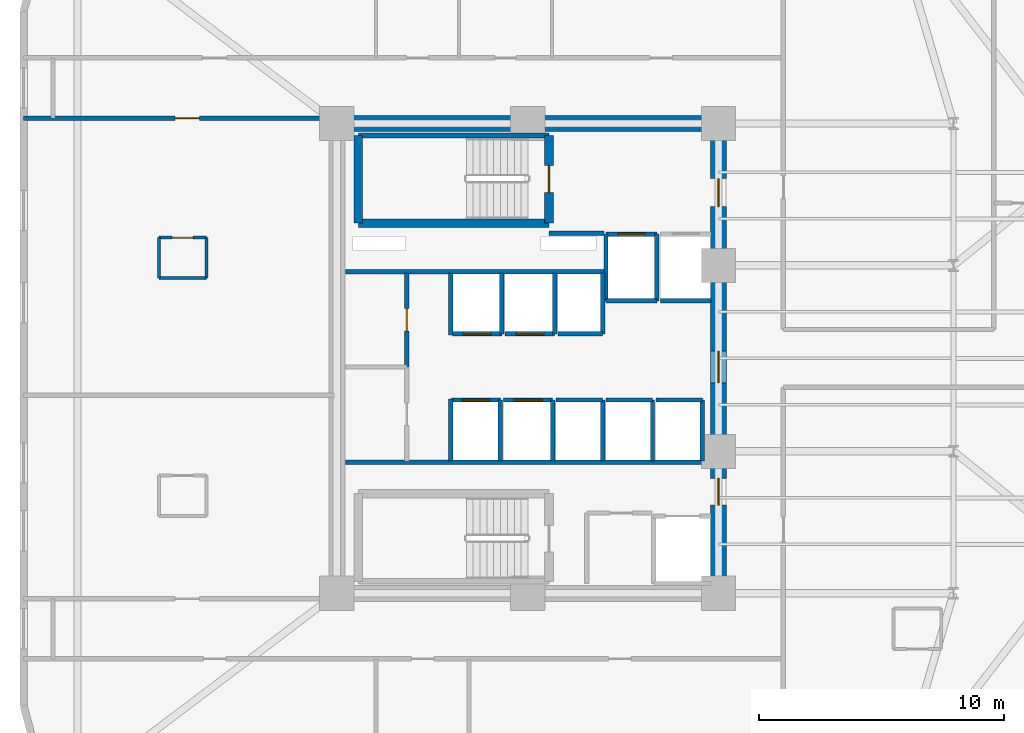
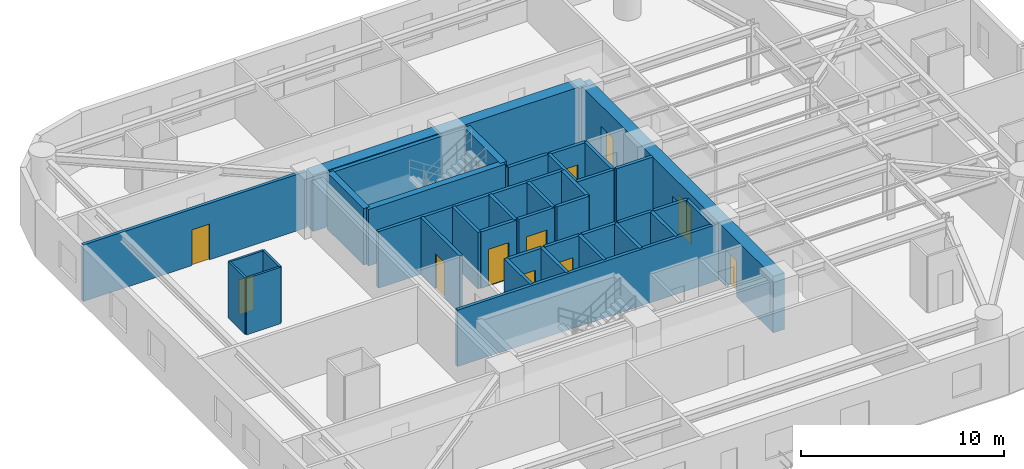
# One storey, part 9 of 14: 38 walls, 12 doors, 12 openings.
"""IFC4 building model written with IfcOpenShell, lengths in metres."""

import ifcopenshell
import ifcopenshell.guid

model = None  # the IFC model being written
_history = None  # IfcOwnerHistory: only IFC2X3 demands one
_inside = {}  # id of a spatial element -> (the spatial element, [elements in it])
_under = {}  # id of a project, library or spatial element -> (it, [spatial elements below it])
_declared = {}  # id of a project -> (the project, [libraries it declares])
_typed = {}  # id of a type object -> (the type object, [elements of that type])
_made_of = {}  # id of a material, layer set ... -> (it, [elements and type objects made of it])


def new_model(schema):
    """Start an empty IFC model of exactly this schema.

    Asked for "IFC4X3", IfcOpenShell would pick the latest addendum, in which some entities
    have other attributes; the version numbers below select the first issue.
    IFC2X3 requires an IfcOwnerHistory on every rooted entity: one is made here for all.
    """
    global model, _history
    if schema == "IFC4X3":
        model = ifcopenshell.file(schema_version=(4, 3, 0, 0))
    else:
        model = ifcopenshell.file(schema=schema)
    _inside.clear()
    _under.clear()
    _declared.clear()
    _typed.clear()
    _made_of.clear()
    _history = None
    if model.schema == "IFC2X3":
        org = make("IfcOrganization", Name="unknown")
        user = make(
            "IfcPersonAndOrganization",
            ThePerson=make("IfcPerson", FamilyName="unknown"),
            TheOrganization=org,
        )
        app = make(
            "IfcApplication",
            ApplicationDeveloper=org,
            Version="unknown",
            ApplicationFullName="unknown",
            ApplicationIdentifier="unknown",
        )
        _history = make(
            "IfcOwnerHistory",
            OwningUser=user,
            OwningApplication=app,
            ChangeAction="ADDED",
            CreationDate=0,
        )
    return model


def make(cls, **values):
    """One entity of the class cls with the attributes given. An attribute that is None is left unset."""
    return model.create_entity(
        cls, **{name: value for name, value in values.items() if value is not None}
    )


def rooted(cls, **values):
    """An entity with a GlobalId (a new one), such as an element, a storey or a relation."""
    return make(cls, GlobalId=ifcopenshell.guid.new(), OwnerHistory=_history, **values)


def si_unit(unit_type, name, prefix=None):
    """IfcSIUnit, for example si_unit("LENGTHUNIT", "METRE", prefix="MILLI")."""
    return make("IfcSIUnit", UnitType=unit_type, Prefix=prefix, Name=name)


def assignment(units):
    """IfcUnitAssignment: the units of a project."""
    return None if units is None else make("IfcUnitAssignment", Units=units)


def point(xyz):
    """IfcCartesianPoint."""
    return None if xyz is None else make("IfcCartesianPoint", Coordinates=xyz)


def direction(xyz):
    """IfcDirection."""
    return None if xyz is None else make("IfcDirection", DirectionRatios=xyz)


def frame(location, z_axis=None, x_axis=None):
    """IfcAxis2Placement3D, a coordinate frame: its origin and axes. An axis left out is left unset."""
    return make(
        "IfcAxis2Placement3D",
        Location=point(location),
        Axis=direction(z_axis),
        RefDirection=direction(x_axis),
    )


def frame_2d(location, x_axis=None):
    """IfcAxis2Placement2D, a coordinate frame in the plane: its origin and x axis."""
    return make(
        "IfcAxis2Placement2D", Location=point(location), RefDirection=direction(x_axis)
    )


def origin():
    """The frame at (0, 0, 0) with its axes left unset."""
    return frame((0.0, 0.0, 0.0))


def place(relative_to, where):
    """IfcLocalPlacement: puts the frame where relative to a parent placement (None: the world)."""
    return make(
        "IfcLocalPlacement", PlacementRelTo=relative_to, RelativePlacement=where
    )


def context(
    kind, dimensions, precision=None, world=None, true_north=None, identifier=None
):
    """IfcGeometricRepresentationContext, for example the 3D "Model" context."""
    return make(
        "IfcGeometricRepresentationContext",
        ContextIdentifier=identifier,
        ContextType=kind,
        CoordinateSpaceDimension=dimensions,
        Precision=precision,
        WorldCoordinateSystem=world,
        TrueNorth=true_north,
    )


def subcontext(parent, identifier, kind, view, scale=None):
    """IfcGeometricRepresentationSubContext, for example "Body" below "Model"."""
    return make(
        "IfcGeometricRepresentationSubContext",
        ContextIdentifier=identifier,
        ContextType=kind,
        ParentContext=parent,
        TargetScale=scale,
        TargetView=view,
    )


def project(units=None, contexts=None):
    """IfcProject with its units and contexts."""
    return rooted(
        "IfcProject",
        Name="project",
        RepresentationContexts=contexts,
        UnitsInContext=assignment(units),
    )


def spatial(cls, under=None, at=None, **own):
    """A site, building, storey or space (cls), placed at a placement, below another one or the project."""
    s = rooted(cls, ObjectPlacement=at, **own)
    if under is not None:
        _under.setdefault(under.id(), (under, []))[1].append(s)
    return s


def profile(cls, at=None, kind="AREA", **sizes):
    """A parametric profile (cls). Its sizes go by their IFC names, for example OverallWidth=200.0."""
    return make(cls, ProfileType=kind, Position=at, **sizes)


def rectangle(**sizes):
    """IfcRectangleProfileDef."""
    return profile("IfcRectangleProfileDef", **sizes)


def extrude(swept, where, along, depth):
    """IfcExtrudedAreaSolid: the profile swept, set in the frame where, extruded along a direction by depth."""
    return make(
        "IfcExtrudedAreaSolid",
        SweptArea=swept,
        Position=where,
        ExtrudedDirection=direction(along),
        Depth=depth,
    )


def shape(context_of_items, identifier, shape_type, items):
    """IfcShapeRepresentation: the items that make up one representation, for example the "Body"."""
    return make(
        "IfcShapeRepresentation",
        ContextOfItems=context_of_items,
        RepresentationIdentifier=identifier,
        RepresentationType=shape_type,
        Items=items,
    )


def material(Name=None, Category=None):
    """IfcMaterial."""
    return make("IfcMaterial", Name=Name, Category=Category)


def layer(
    of_material, thickness, ventilated=None, Name=None, Category=None, Priority=None
):
    """IfcMaterialLayer: one layer of a wall or slab, of a material (None: an air gap)."""
    return make(
        "IfcMaterialLayer",
        Material=of_material,
        LayerThickness=thickness,
        IsVentilated=ventilated,
        Name=Name,
        Category=Category,
        Priority=Priority,
    )


def layer_set(layers, Name=None):
    """IfcMaterialLayerSet."""
    return make("IfcMaterialLayerSet", MaterialLayers=layers, LayerSetName=Name)


def made_of(thing, what):
    """Note that an element or type object is made of a material, layer set ...; save() writes the relation."""
    if what is not None:
        _made_of.setdefault(what.id(), (what, []))[1].append(thing)
    return thing


def type_object(cls, material=None, **own):
    """A type object (cls), such as IfcWallType, which elements share."""
    return made_of(rooted(cls, **own), material)


def element(
    cls,
    number,
    at=None,
    inside=None,
    cuts=None,
    type_object=None,
    material=None,
    context=None,
    identifier="Body",
    shape_type=None,
    held_by="IfcProductDefinitionShape",
    body=None,
    shapes=None,
    **own,
):
    """One element of the class cls, such as IfcWall. Its Tag is "e" and its number.

    at: its placement. inside: the storey or other place that contains it. cuts: it is an
    opening in that element (IfcRelVoidsElement). A single representation is given by context,
    identifier, shape_type and body (its items); several are given by shapes. held_by: the class
    of the entity that holds the representations. save() writes the other relations.
    """
    e = rooted(cls, Tag="e%d" % number, ObjectPlacement=at, **own)
    if body is not None:
        shapes = [shape(context, identifier, shape_type, body)]
    if shapes is not None:
        e.Representation = make(held_by, Representations=shapes)
    if inside is not None:
        _inside.setdefault(inside.id(), (inside, []))[1].append(e)
    if cuts is not None:
        rooted(
            "IfcRelVoidsElement", RelatingBuildingElement=cuts, RelatedOpeningElement=e
        )
    if type_object is not None:
        _typed.setdefault(type_object.id(), (type_object, []))[1].append(e)
    return made_of(e, material)


def fill(opening, filler):
    """IfcRelFillsElement: the door or window that sits in an opening."""
    return rooted(
        "IfcRelFillsElement",
        RelatingOpeningElement=opening,
        RelatedBuildingElement=filler,
    )


def aggregate(whole, parts):
    """IfcRelAggregates: a whole, such as a stair, and the parts it consists of."""
    return rooted("IfcRelAggregates", RelatingObject=whole, RelatedObjects=parts)


def save(model, path):
    """Write the relations noted so far, then the file.

    IfcRelAggregates (storeys below a building ...), IfcRelContainedInSpatialStructure (elements
    in a storey), IfcRelDefinesByType, IfcRelAssociatesMaterial and IfcRelDeclares: one each for
    every whole, place, type object, material and project.
    """
    for whole, parts in _under.values():
        aggregate(whole, parts)
    for where, things in _inside.values():
        rooted(
            "IfcRelContainedInSpatialStructure",
            RelatedElements=things,
            RelatingStructure=where,
        )
    for kind, things in _typed.values():
        rooted("IfcRelDefinesByType", RelatedObjects=things, RelatingType=kind)
    for what, things in _made_of.values():
        rooted("IfcRelAssociatesMaterial", RelatedObjects=things, RelatingMaterial=what)
    for by, libraries in _declared.values():
        rooted("IfcRelDeclares", RelatingContext=by, RelatedDefinitions=libraries)
    model.write(path)


model = new_model("IFC4")

# Units and contexts
model_context = context("Model", 3, precision=1e-05, world=origin(), true_north=direction((0.0, 1.0)))
body_context = subcontext(model_context, "Body", "Model", "MODEL_VIEW")
ifc_project = project(units=[si_unit("LENGTHUNIT", "METRE"), si_unit("AREAUNIT", "SQUARE_METRE"), si_unit("VOLUMEUNIT", "CUBIC_METRE"), si_unit("PLANEANGLEUNIT", "RADIAN"), si_unit("MASSUNIT", "GRAM", prefix="KILO")], contexts=[model_context])

# Site, building, storey
site_placement = place(None, origin())
site = spatial("IfcSite", under=ifc_project, at=site_placement, CompositionType="ELEMENT")
building_placement = place(site_placement, origin())
building = spatial("IfcBuilding", under=site, at=building_placement, Name="An Khanh Terracotta Commons", CompositionType="ELEMENT")
storey_placement = place(building_placement, frame((0.0, 0.0, 104.300048828125)))
storey = spatial("IfcBuildingStorey", under=building, at=storey_placement, Name="L27", CompositionType="ELEMENT", Elevation=104.300048828125)

# Wall
ifc_material_1 = material(Name="Concrete C60/75", Category="concrete")
ifc_layer_1 = layer(ifc_material_1, 0.64990234375, Name="Concrete C60/75")
ifc_layer_set_1 = layer_set([ifc_layer_1], Name="Concrete C60/75")
wall_type_1 = type_object("IfcWallType", Name="WALL-CORE-650", PredefinedType="SHEAR", material=ifc_layer_set_1)
wall_1_placement = place(storey_placement, frame((21.60009765625, 33.60009765625, 0.0), z_axis=(0.0, 0.0, 1.0), x_axis=(1.0, 0.0, 0.0)))
element("IfcWall", 1, at=wall_1_placement, inside=storey, type_object=wall_type_1, Name="L27 Core Wall CWALL-L27-N", PredefinedType="SHEAR", context=body_context, shape_type="SweptSolid", body=[
    extrude(rectangle(XDim=15.599853515625, YDim=0.64990234375, at=frame_2d((7.7998046875, 0.0))), origin(), (0.0, 0.0, 1.0), 3.39990234375),
])

# Wall, openings, doors
wall_2_placement = place(storey_placement, frame((37.199951171875, 14.39990234375, 0.0), z_axis=(0.0, 0.0, 1.0), x_axis=(0.0, 1.0, 0.0)))
wall_2 = element("IfcWall", 2, at=wall_2_placement, inside=storey, type_object=wall_type_1, Name="L27 Core Wall CWALL-L27-E", PredefinedType="SHEAR", context=body_context, shape_type="SweptSolid", body=[
    extrude(rectangle(XDim=19.2001953125, YDim=0.64990234375, at=frame_2d((9.60009765625, 0.0))), origin(), (0.0, 0.0, 1.0), 3.39990234375),
])
opening_1_placement = place(wall_2_placement, frame((15.800048828125, 0.0, 0.0)))
opening_1 = element("IfcOpeningElement", 3, at=opening_1_placement, cuts=wall_2, Name="Opening D-FFL", PredefinedType="OPENING", context=body_context, shape_type="SweptSolid", body=[
    extrude(rectangle(XDim=1.14990234375, YDim=2.14990234375, at=frame_2d((0.574951171875, 1.074951171875))), frame((0.0, 0.3349609375, 0.0), z_axis=(0.0, -1.0, 0.0), x_axis=(1.0, 0.0, 0.0)), (0.0, 0.0, 1.0), 0.669921875),
])
opening_2_placement = place(wall_2_placement, frame((3.60009765625, 0.0, 0.0)))
opening_2 = element("IfcOpeningElement", 4, at=opening_2_placement, cuts=wall_2, Name="Opening D-ST", PredefinedType="OPENING", context=body_context, shape_type="SweptSolid", body=[
    extrude(rectangle(XDim=1.10009765625, YDim=2.14990234375, at=frame_2d((0.550048828125, 1.074951171875))), frame((0.0, 0.3349609375, 0.0), z_axis=(0.0, -1.0, 0.0), x_axis=(1.0, 0.0, 0.0)), (0.0, 0.0, 1.0), 0.669921875),
])
opening_3_placement = place(wall_2_placement, frame((8.60009765625, 0.0, 0.0)))
opening_3 = element("IfcOpeningElement", 5, at=opening_3_placement, cuts=wall_2, Name="Opening D-COR", PredefinedType="OPENING", context=body_context, shape_type="SweptSolid", body=[
    extrude(rectangle(XDim=1.300048828125, YDim=2.199951171875, at=frame_2d((0.64990234375, 1.10009765625))), frame((0.0, 0.3349609375, 0.0), z_axis=(0.0, -1.0, 0.0), x_axis=(1.0, 0.0, 0.0)), (0.0, 0.0, 1.0), 0.669921875),
])
ifc_material_2 = material(Name="Fire-Rated Glazed Steel Double Door", Category="steel")
door_type_1 = type_object("IfcDoorType", Name="DOOR-CORR-1300", OperationType="NOTDEFINED", PredefinedType="DOOR", material=ifc_material_2)
door_1_placement = place(opening_3_placement, origin())
door_1 = element("IfcDoor", 6, at=door_1_placement, inside=storey, type_object=door_type_1, Name="L27 Passenger Lift Lobby Double Door", OperationType="DOUBLE_DOOR_SINGLE_SWING", OverallHeight=2.199951171875, OverallWidth=1.300048828125, PredefinedType="DOOR", context=body_context, shape_type="SweptSolid", body=[
    extrude(rectangle(XDim=1.300048828125, YDim=2.199951171875, at=frame_2d((0.64990234375, 1.10009765625))), frame((0.0, 0.02490234375, 0.0), z_axis=(0.0, -1.0, 0.0), x_axis=(1.0, 0.0, 0.0)), (0.0, 0.0, 1.0), 0.050048828125),
])
fill(opening_3, door_1)
ifc_material_3 = material(Name="Fire-Rated Steel Leaf and Vision Panel", Category="steel")
door_type_2 = type_object("IfcDoorType", Name="DOOR-FFL-1150", OperationType="NOTDEFINED", PredefinedType="DOOR", material=ifc_material_3)
door_2_placement = place(opening_1_placement, origin())
door_2 = element("IfcDoor", 7, at=door_2_placement, inside=storey, type_object=door_type_2, Name="L27 Firefighting Lift Lobby Fire Door", OperationType="SINGLE_SWING_RIGHT", OverallHeight=2.14990234375, OverallWidth=1.14990234375, PredefinedType="DOOR", context=body_context, shape_type="SweptSolid", body=[
    extrude(rectangle(XDim=1.14990234375, YDim=2.14990234375, at=frame_2d((0.574951171875, 1.074951171875))), frame((0.0, 0.02490234375, 0.0), z_axis=(0.0, -1.0, 0.0), x_axis=(1.0, 0.0, 0.0)), (0.0, 0.0, 1.0), 0.050048828125),
])
fill(opening_1, door_2)
ifc_material_4 = material(Name="Fire-Rated Steel Leaf and Frame", Category="steel")
door_type_3 = type_object("IfcDoorType", Name="DOOR-STAIR-1100", OperationType="NOTDEFINED", PredefinedType="DOOR", material=ifc_material_4)
door_3_placement = place(opening_2_placement, origin())
door_3 = element("IfcDoor", 8, at=door_3_placement, inside=storey, type_object=door_type_3, Name="L27 South Stair Lobby Fire Door", OperationType="SINGLE_SWING_LEFT", OverallHeight=2.14990234375, OverallWidth=1.10009765625, PredefinedType="DOOR", context=body_context, shape_type="SweptSolid", body=[
    extrude(rectangle(XDim=1.10009765625, YDim=2.14990234375, at=frame_2d((0.550048828125, 1.074951171875))), frame((0.0, 0.02490234375, 0.0), z_axis=(0.0, -1.0, 0.0), x_axis=(1.0, 0.0, 0.0)), (0.0, 0.0, 1.0), 0.050048828125),
])
fill(opening_2, door_3)

# Walls
ifc_material_5 = material(Name="Fire-Rated Gypsum Board on Steel Stud", Category="steel")
ifc_layer_2 = layer(ifc_material_5, 0.179931640625, Name="Fire-Rated Gypsum Board on Steel Stud")
ifc_layer_set_2 = layer_set([ifc_layer_2], Name="Fire-Rated Gypsum Board on Steel Stud")
wall_type_2 = type_object("IfcWallType", Name="WALL-CORR-180", PredefinedType="PARTITIONING", material=ifc_layer_set_2)
wall_3_placement = place(storey_placement, frame((30.27001953125, 29.1201171875, 0.0), z_axis=(0.0, 0.0, 1.0), x_axis=(1.0, 0.0, 0.0)))
element("IfcWall", 9, at=wall_3_placement, inside=storey, type_object=wall_type_2, Name="L27 Core Wall FFLW-L27-S", PredefinedType="PARTITIONING", context=body_context, shape_type="SweptSolid", body=[
    extrude(rectangle(XDim=2.239990234375, YDim=0.179931640625, at=frame_2d((1.1201171875, 0.0))), origin(), (0.0, 0.0, 1.0), 3.39990234375),
])
wall_4_placement = place(storey_placement, frame((21.949951171875, 27.5400390625, 0.0), z_axis=(0.0, 0.0, 1.0), x_axis=(1.0, 0.0, 0.0)))
element("IfcWall", 10, at=wall_4_placement, inside=storey, type_object=wall_type_2, Name="L27 Core Wall RSRW-L27-S", PredefinedType="PARTITIONING", context=body_context, shape_type="SweptSolid", body=[
    extrude(rectangle(XDim=10.56005859375, YDim=0.179931640625, at=frame_2d((5.280029296875, 0.0))), origin(), (0.0, 0.0, 1.0), 3.39990234375),
])
wall_5_placement = place(storey_placement, frame((21.949951171875, 19.760009765625, 0.0), z_axis=(0.0, 0.0, 1.0), x_axis=(1.0, 0.0, 0.0)))
element("IfcWall", 11, at=wall_5_placement, inside=storey, type_object=wall_type_2, Name="L27 Core Wall SVW-L27-N", PredefinedType="PARTITIONING", context=body_context, shape_type="SweptSolid", body=[
    extrude(rectangle(XDim=14.8701171875, YDim=0.179931640625, at=frame_2d((7.43505859375, 0.0))), origin(), (0.0, 0.0, 1.0), 3.39990234375),
])

# Wall, opening, door
wall_6_placement = place(storey_placement, frame((32.60009765625, 29.080078125, 0.0), z_axis=(0.0, 0.0, 1.0), x_axis=(1.0, 0.0, 0.0)))
wall_6 = element("IfcWall", 12, at=wall_6_placement, inside=storey, type_object=wall_type_2, Name="L27 Core Wall LSH-L27-FFL-01-N", PredefinedType="PARTITIONING", context=body_context, shape_type="SweptSolid", body=[
    extrude(rectangle(XDim=2.079833984375, YDim=0.179931640625, at=frame_2d((1.0400390625, 0.0))), origin(), (0.0, 0.0, 1.0), 3.39990234375),
])
opening_4_placement = place(wall_6_placement, frame((0.489990234375, 0.0, 0.0)))
opening_4 = element("IfcOpeningElement", 13, at=opening_4_placement, cuts=wall_6, Name="Opening LD-FFL-01-L27", PredefinedType="OPENING", context=body_context, shape_type="SweptSolid", body=[
    extrude(rectangle(XDim=1.10009765625, YDim=2.199951171875, at=frame_2d((0.550048828125, 1.10009765625))), frame((0.0, 0.099853515625, 0.0), z_axis=(0.0, -1.0, 0.0), x_axis=(1.0, 0.0, 0.0)), (0.0, 0.0, 1.0), 0.199951171875),
])
ifc_material_6 = material(Name="Brushed Stainless Steel Fire Landing Door", Category="steel")
door_type_4 = type_object("IfcDoorType", Name="DOOR-LD-FFL-1100", OperationType="NOTDEFINED", PredefinedType="DOOR", material=ifc_material_6)
door_4_placement = place(opening_4_placement, origin())
door_4 = element("IfcDoor", 14, at=door_4_placement, inside=storey, type_object=door_type_4, Name="L27 Lift FFL-01 Sliding Landing Door", OperationType="DOUBLE_DOOR_SLIDING", OverallHeight=2.199951171875, OverallWidth=1.10009765625, PredefinedType="DOOR", context=body_context, shape_type="SweptSolid", body=[
    extrude(rectangle(XDim=1.10009765625, YDim=2.199951171875, at=frame_2d((0.550048828125, 1.10009765625))), frame((0.0, 0.02490234375, 0.0), z_axis=(0.0, -1.0, 0.0), x_axis=(1.0, 0.0, 0.0)), (0.0, 0.0, 1.0), 0.050048828125),
])
fill(opening_4, door_4)

# Walls
wall_7_placement = place(storey_placement, frame((34.679931640625, 26.35009765625, 0.0), z_axis=(0.0, 0.0, 1.0), x_axis=(-1.0, 0.0, 0.0)))
element("IfcWall", 15, at=wall_7_placement, inside=storey, type_object=wall_type_2, Name="L27 Core Wall LSH-L27-FFL-01-S", PredefinedType="PARTITIONING", context=body_context, shape_type="SweptSolid", body=[
    extrude(rectangle(XDim=2.079833984375, YDim=0.179931640625, at=frame_2d((1.0400390625, 0.0))), origin(), (0.0, 0.0, 1.0), 3.39990234375),
])
for number, where, z_axis, x_axis, name in (
    (16, (34.679931640625, 26.35009765625, 0.0), (0.0, 0.0, 1.0), (0.0, 1.0, 0.0), "L27 Core Wall LSH-L27-FFL-01-E"),
    (17, (32.60009765625, 29.080078125, 0.0), (0.0, 0.0, 1.0), (0.0, -1.0, 0.0), "L27 Core Wall LSH-L27-FFL-01-W"),
):
    element("IfcWall", number, at=place(storey_placement, frame(where, z_axis=z_axis, x_axis=x_axis)), inside=storey, type_object=wall_type_2, Name=name, PredefinedType="PARTITIONING", context=body_context, shape_type="SweptSolid", body=[
        extrude(rectangle(XDim=2.72998046875, YDim=0.179931640625, at=frame_2d((1.364990234375, 0.0))), origin(), (0.0, 0.0, 1.0), 3.39990234375),
    ])
wall_8_placement = place(storey_placement, frame((36.89990234375, 26.35009765625, 0.0), z_axis=(0.0, 0.0, 1.0), x_axis=(-1.0, 0.0, 0.0)))
element("IfcWall", 18, at=wall_8_placement, inside=storey, type_object=wall_type_2, Name="L27 Core Wall LSH-L27-FFL-02-S", PredefinedType="PARTITIONING", context=body_context, shape_type="SweptSolid", body=[
    extrude(rectangle(XDim=2.079833984375, YDim=0.179931640625, at=frame_2d((1.0400390625, 0.0))), origin(), (0.0, 0.0, 1.0), 3.39990234375),
])

# Wall, opening, door
wall_9_placement = place(storey_placement, frame((28.340087890625, 25.0, 0.0), z_axis=(0.0, 0.0, 1.0), x_axis=(-1.0, 0.0, 0.0)))
wall_9 = element("IfcWall", 19, at=wall_9_placement, inside=storey, type_object=wall_type_2, Name="L27 Core Wall LSH-L27-PL-M1-S", PredefinedType="PARTITIONING", context=body_context, shape_type="SweptSolid", body=[
    extrude(rectangle(XDim=2.02001953125, YDim=0.179931640625, at=frame_2d((1.010009765625, 0.0))), origin(), (0.0, 0.0, 1.0), 3.39990234375),
])
opening_5_placement = place(wall_9_placement, frame((0.43505859375, 0.0, 0.0)))
opening_5 = element("IfcOpeningElement", 20, at=opening_5_placement, cuts=wall_9, Name="Opening LD-PL-M1-L27", PredefinedType="OPENING", context=body_context, shape_type="SweptSolid", body=[
    extrude(rectangle(XDim=1.14990234375, YDim=2.199951171875, at=frame_2d((0.574951171875, 1.10009765625))), frame((0.0, 0.099853515625, 0.0), z_axis=(0.0, -1.0, 0.0), x_axis=(1.0, 0.0, 0.0)), (0.0, 0.0, 1.0), 0.199951171875),
])
ifc_material_7 = material(Name="Brushed Stainless Steel Passenger Landing Door", Category="steel")
door_type_5 = type_object("IfcDoorType", Name="DOOR-LD-PAX-1150", OperationType="NOTDEFINED", PredefinedType="DOOR", material=ifc_material_7)
door_5_placement = place(opening_5_placement, origin())
door_5 = element("IfcDoor", 21, at=door_5_placement, inside=storey, type_object=door_type_5, Name="L27 Lift PL-M1 Sliding Landing Door", OperationType="DOUBLE_DOOR_SLIDING", OverallHeight=2.199951171875, OverallWidth=1.14990234375, PredefinedType="DOOR", context=body_context, shape_type="SweptSolid", body=[
    extrude(rectangle(XDim=1.14990234375, YDim=2.199951171875, at=frame_2d((0.574951171875, 1.10009765625))), frame((0.0, 0.02490234375, 0.0), z_axis=(0.0, -1.0, 0.0), x_axis=(1.0, 0.0, 0.0)), (0.0, 0.0, 1.0), 0.050048828125),
])
fill(opening_5, door_5)

# Wall
wall_10_placement = place(storey_placement, frame((28.340087890625, 25.0, 0.0), z_axis=(0.0, 0.0, 1.0), x_axis=(0.0, 1.0, 0.0)))
element("IfcWall", 22, at=wall_10_placement, inside=storey, type_object=wall_type_2, Name="L27 Core Wall LSH-L27-PL-M1-E", PredefinedType="PARTITIONING", context=body_context, shape_type="SweptSolid", body=[
    extrude(rectangle(XDim=2.5, YDim=0.179931640625, at=frame_2d((1.25, 0.0))), origin(), (0.0, 0.0, 1.0), 3.39990234375),
])

# Wall, opening, door
wall_11_placement = place(storey_placement, frame((30.5, 25.0, 0.0), z_axis=(0.0, 0.0, 1.0), x_axis=(-1.0, 0.0, 0.0)))
wall_11 = element("IfcWall", 23, at=wall_11_placement, inside=storey, type_object=wall_type_2, Name="L27 Core Wall LSH-L27-PL-M2-S", PredefinedType="PARTITIONING", context=body_context, shape_type="SweptSolid", body=[
    extrude(rectangle(XDim=2.02001953125, YDim=0.179931640625, at=frame_2d((1.010009765625, 0.0))), origin(), (0.0, 0.0, 1.0), 3.39990234375),
])
opening_6_placement = place(wall_11_placement, frame((0.43505859375, 0.0, 0.0)))
opening_6 = element("IfcOpeningElement", 24, at=opening_6_placement, cuts=wall_11, Name="Opening LD-PL-M2-L27", PredefinedType="OPENING", context=body_context, shape_type="SweptSolid", body=[
    extrude(rectangle(XDim=1.14990234375, YDim=2.199951171875, at=frame_2d((0.574951171875, 1.10009765625))), frame((0.0, 0.099853515625, 0.0), z_axis=(0.0, -1.0, 0.0), x_axis=(1.0, 0.0, 0.0)), (0.0, 0.0, 1.0), 0.199951171875),
])
door_6_placement = place(opening_6_placement, origin())
door_6 = element("IfcDoor", 25, at=door_6_placement, inside=storey, type_object=door_type_5, Name="L27 Lift PL-M2 Sliding Landing Door", OperationType="DOUBLE_DOOR_SLIDING", OverallHeight=2.199951171875, OverallWidth=1.14990234375, PredefinedType="DOOR", context=body_context, shape_type="SweptSolid", body=[
    extrude(rectangle(XDim=1.14990234375, YDim=2.199951171875, at=frame_2d((0.574951171875, 1.10009765625))), frame((0.0, 0.02490234375, 0.0), z_axis=(0.0, -1.0, 0.0), x_axis=(1.0, 0.0, 0.0)), (0.0, 0.0, 1.0), 0.050048828125),
])
fill(opening_6, door_6)

# Wall
wall_12_placement = place(storey_placement, frame((30.5, 25.0, 0.0), z_axis=(0.0, 0.0, 1.0), x_axis=(0.0, 1.0, 0.0)))
element("IfcWall", 26, at=wall_12_placement, inside=storey, type_object=wall_type_2, Name="L27 Core Wall LSH-L27-PL-M2-E", PredefinedType="PARTITIONING", context=body_context, shape_type="SweptSolid", body=[
    extrude(rectangle(XDim=2.5, YDim=0.179931640625, at=frame_2d((1.25, 0.0))), origin(), (0.0, 0.0, 1.0), 3.39990234375),
])

# Wall, opening, door
wall_13_placement = place(storey_placement, frame((26.280029296875, 22.300048828125, 0.0), z_axis=(0.0, 0.0, 1.0), x_axis=(1.0, 0.0, 0.0)))
wall_13 = element("IfcWall", 27, at=wall_13_placement, inside=storey, type_object=wall_type_2, Name="L27 Core Wall LSH-L27-PL-M3-N", PredefinedType="PARTITIONING", context=body_context, shape_type="SweptSolid", body=[
    extrude(rectangle(XDim=2.0, YDim=0.179931640625, at=frame_2d((1.0, 0.0))), origin(), (0.0, 0.0, 1.0), 3.39990234375),
])
opening_7_placement = place(wall_13_placement, frame((0.425048828125, 0.0, 0.0)))
opening_7 = element("IfcOpeningElement", 28, at=opening_7_placement, cuts=wall_13, Name="Opening LD-PL-M3-L27", PredefinedType="OPENING", context=body_context, shape_type="SweptSolid", body=[
    extrude(rectangle(XDim=1.14990234375, YDim=2.199951171875, at=frame_2d((0.574951171875, 1.10009765625))), frame((0.0, 0.099853515625, 0.0), z_axis=(0.0, -1.0, 0.0), x_axis=(1.0, 0.0, 0.0)), (0.0, 0.0, 1.0), 0.199951171875),
])
door_7_placement = place(opening_7_placement, origin())
door_7 = element("IfcDoor", 29, at=door_7_placement, inside=storey, type_object=door_type_5, Name="L27 Lift PL-M3 Sliding Landing Door", OperationType="DOUBLE_DOOR_SLIDING", OverallHeight=2.199951171875, OverallWidth=1.14990234375, PredefinedType="DOOR", context=body_context, shape_type="SweptSolid", body=[
    extrude(rectangle(XDim=1.14990234375, YDim=2.199951171875, at=frame_2d((0.574951171875, 1.10009765625))), frame((0.0, 0.02490234375, 0.0), z_axis=(0.0, -1.0, 0.0), x_axis=(1.0, 0.0, 0.0)), (0.0, 0.0, 1.0), 0.050048828125),
])
fill(opening_7, door_7)

# Wall
wall_14_placement = place(storey_placement, frame((28.280029296875, 19.800048828125, 0.0), z_axis=(0.0, 0.0, 1.0), x_axis=(0.0, 1.0, 0.0)))
element("IfcWall", 30, at=wall_14_placement, inside=storey, type_object=wall_type_2, Name="L27 Core Wall LSH-L27-PL-M3-E", PredefinedType="PARTITIONING", context=body_context, shape_type="SweptSolid", body=[
    extrude(rectangle(XDim=2.5, YDim=0.179931640625, at=frame_2d((1.25, 0.0))), origin(), (0.0, 0.0, 1.0), 3.39990234375),
])

# Wall, opening, door
wall_15_placement = place(storey_placement, frame((28.419921875, 22.300048828125, 0.0), z_axis=(0.0, 0.0, 1.0), x_axis=(1.0, 0.0, 0.0)))
wall_15 = element("IfcWall", 31, at=wall_15_placement, inside=storey, type_object=wall_type_2, Name="L27 Core Wall LSH-L27-PL-M4-N", PredefinedType="PARTITIONING", context=body_context, shape_type="SweptSolid", body=[
    extrude(rectangle(XDim=2.0, YDim=0.179931640625, at=frame_2d((1.0, 0.0))), origin(), (0.0, 0.0, 1.0), 3.39990234375),
])
opening_8_placement = place(wall_15_placement, frame((0.425048828125, 0.0, 0.0)))
opening_8 = element("IfcOpeningElement", 32, at=opening_8_placement, cuts=wall_15, Name="Opening LD-PL-M4-L27", PredefinedType="OPENING", context=body_context, shape_type="SweptSolid", body=[
    extrude(rectangle(XDim=1.14990234375, YDim=2.199951171875, at=frame_2d((0.574951171875, 1.10009765625))), frame((0.0, 0.099853515625, 0.0), z_axis=(0.0, -1.0, 0.0), x_axis=(1.0, 0.0, 0.0)), (0.0, 0.0, 1.0), 0.199951171875),
])
door_8_placement = place(opening_8_placement, origin())
door_8 = element("IfcDoor", 33, at=door_8_placement, inside=storey, type_object=door_type_5, Name="L27 Lift PL-M4 Sliding Landing Door", OperationType="DOUBLE_DOOR_SLIDING", OverallHeight=2.199951171875, OverallWidth=1.14990234375, PredefinedType="DOOR", context=body_context, shape_type="SweptSolid", body=[
    extrude(rectangle(XDim=1.14990234375, YDim=2.199951171875, at=frame_2d((0.574951171875, 1.10009765625))), frame((0.0, 0.02490234375, 0.0), z_axis=(0.0, -1.0, 0.0), x_axis=(1.0, 0.0, 0.0)), (0.0, 0.0, 1.0), 0.050048828125),
])
fill(opening_8, door_8)

# Walls
wall_16_placement = place(storey_placement, frame((30.419921875, 19.800048828125, 0.0), z_axis=(0.0, 0.0, 1.0), x_axis=(0.0, 1.0, 0.0)))
element("IfcWall", 34, at=wall_16_placement, inside=storey, type_object=wall_type_2, Name="L27 Core Wall LSH-L27-PL-M4-E", PredefinedType="PARTITIONING", context=body_context, shape_type="SweptSolid", body=[
    extrude(rectangle(XDim=2.5, YDim=0.179931640625, at=frame_2d((1.25, 0.0))), origin(), (0.0, 0.0, 1.0), 3.39990234375),
])
wall_17_placement = place(storey_placement, frame((32.4599609375, 25.0, 0.0), z_axis=(0.0, 0.0, 1.0), x_axis=(-1.0, 0.0, 0.0)))
element("IfcWall", 35, at=wall_17_placement, inside=storey, type_object=wall_type_2, Name="L27 Core Wall LSH-L27-PL-H1-S", PredefinedType="PARTITIONING", context=body_context, shape_type="SweptSolid", body=[
    extrude(rectangle(XDim=1.820068359375, YDim=0.179931640625, at=frame_2d((0.91015625, 0.0))), origin(), (0.0, 0.0, 1.0), 3.39990234375),
])
wall_18_placement = place(storey_placement, frame((32.4599609375, 25.0, 0.0), z_axis=(0.0, 0.0, 1.0), x_axis=(0.0, 1.0, 0.0)))
element("IfcWall", 36, at=wall_18_placement, inside=storey, type_object=wall_type_2, Name="L27 Core Wall LSH-L27-PL-H1-E", PredefinedType="PARTITIONING", context=body_context, shape_type="SweptSolid", body=[
    extrude(rectangle(XDim=2.5, YDim=0.179931640625, at=frame_2d((1.25, 0.0))), origin(), (0.0, 0.0, 1.0), 3.39990234375),
])
wall_19_placement = place(storey_placement, frame((30.56005859375, 22.300048828125, 0.0), z_axis=(0.0, 0.0, 1.0), x_axis=(1.0, 0.0, 0.0)))
element("IfcWall", 37, at=wall_19_placement, inside=storey, type_object=wall_type_2, Name="L27 Core Wall LSH-L27-PL-H2-N", PredefinedType="PARTITIONING", context=body_context, shape_type="SweptSolid", body=[
    extrude(rectangle(XDim=1.89990234375, YDim=0.179931640625, at=frame_2d((0.949951171875, 0.0))), origin(), (0.0, 0.0, 1.0), 3.39990234375),
])
wall_20_placement = place(storey_placement, frame((32.4599609375, 19.800048828125, 0.0), z_axis=(0.0, 0.0, 1.0), x_axis=(0.0, 1.0, 0.0)))
element("IfcWall", 38, at=wall_20_placement, inside=storey, type_object=wall_type_2, Name="L27 Core Wall LSH-L27-PL-H2-E", PredefinedType="PARTITIONING", context=body_context, shape_type="SweptSolid", body=[
    extrude(rectangle(XDim=2.5, YDim=0.179931640625, at=frame_2d((1.25, 0.0))), origin(), (0.0, 0.0, 1.0), 3.39990234375),
])
wall_21_placement = place(storey_placement, frame((32.60009765625, 22.300048828125, 0.0), z_axis=(0.0, 0.0, 1.0), x_axis=(1.0, 0.0, 0.0)))
element("IfcWall", 39, at=wall_21_placement, inside=storey, type_object=wall_type_2, Name="L27 Core Wall LSH-L27-PL-H3-N", PredefinedType="PARTITIONING", context=body_context, shape_type="SweptSolid", body=[
    extrude(rectangle(XDim=1.89990234375, YDim=0.179931640625, at=frame_2d((0.949951171875, 0.0))), origin(), (0.0, 0.0, 1.0), 3.39990234375),
])
wall_22_placement = place(storey_placement, frame((34.5, 19.800048828125, 0.0), z_axis=(0.0, 0.0, 1.0), x_axis=(0.0, 1.0, 0.0)))
element("IfcWall", 40, at=wall_22_placement, inside=storey, type_object=wall_type_2, Name="L27 Core Wall LSH-L27-PL-H3-E", PredefinedType="PARTITIONING", context=body_context, shape_type="SweptSolid", body=[
    extrude(rectangle(XDim=2.5, YDim=0.179931640625, at=frame_2d((1.25, 0.0))), origin(), (0.0, 0.0, 1.0), 3.39990234375),
])
wall_23_placement = place(storey_placement, frame((34.639892578125, 22.300048828125, 0.0), z_axis=(0.0, 0.0, 1.0), x_axis=(1.0, 0.0, 0.0)))
element("IfcWall", 41, at=wall_23_placement, inside=storey, type_object=wall_type_2, Name="L27 Core Wall LSH-L27-PL-H4-N", PredefinedType="PARTITIONING", context=body_context, shape_type="SweptSolid", body=[
    extrude(rectangle(XDim=1.900146484375, YDim=0.179931640625, at=frame_2d((0.9501953125, 0.0))), origin(), (0.0, 0.0, 1.0), 3.39990234375),
])
wall_24_placement = place(storey_placement, frame((36.5400390625, 19.800048828125, 0.0), z_axis=(0.0, 0.0, 1.0), x_axis=(0.0, 1.0, 0.0)))
element("IfcWall", 42, at=wall_24_placement, inside=storey, type_object=wall_type_2, Name="L27 Core Wall LSH-L27-PL-H4-E", PredefinedType="PARTITIONING", context=body_context, shape_type="SweptSolid", body=[
    extrude(rectangle(XDim=2.5, YDim=0.179931640625, at=frame_2d((1.25, 0.0))), origin(), (0.0, 0.0, 1.0), 3.39990234375),
])

# Wall, opening, door
wall_25_placement = place(storey_placement, frame((24.4599609375, 23.64990234375, 0.0), z_axis=(0.0, 0.0, 1.0), x_axis=(0.0, 1.0, 0.0)))
wall_25 = element("IfcWall", 43, at=wall_25_placement, inside=storey, type_object=wall_type_2, Name="L27 Core Wall RECW-L27-E1", PredefinedType="PARTITIONING", context=body_context, shape_type="SweptSolid", body=[
    extrude(rectangle(XDim=3.85009765625, YDim=0.179931640625, at=frame_2d((1.925048828125, 0.0))), origin(), (0.0, 0.0, 1.0), 3.39990234375),
])
opening_9_placement = place(wall_25_placement, frame((1.465087890625, 0.0, 0.0)))
opening_9 = element("IfcOpeningElement", 44, at=opening_9_placement, cuts=wall_25, Name="Opening D-RM", PredefinedType="OPENING", context=body_context, shape_type="SweptSolid", body=[
    extrude(rectangle(XDim=0.919921875, YDim=2.10009765625, at=frame_2d((0.4599609375, 1.050048828125))), frame((0.0, 0.099853515625, 0.0), z_axis=(0.0, -1.0, 0.0), x_axis=(1.0, 0.0, 0.0)), (0.0, 0.0, 1.0), 0.199951171875),
])
ifc_material_8 = material(Name="Engineered Hardwood Timber Leaf", Category="wood")
door_type_6 = type_object("IfcDoorType", Name="DOOR-INT-920", OperationType="NOTDEFINED", PredefinedType="DOOR", material=ifc_material_8)
door_9_placement = place(opening_9_placement, origin())
door_9 = element("IfcDoor", 45, at=door_9_placement, inside=storey, type_object=door_type_6, Name="L27 Communal Laundry Room Door", OperationType="SINGLE_SWING_LEFT", OverallHeight=2.10009765625, OverallWidth=0.919921875, PredefinedType="DOOR", context=body_context, shape_type="SweptSolid", body=[
    extrude(rectangle(XDim=0.919921875, YDim=2.10009765625, at=frame_2d((0.4599609375, 1.050048828125))), frame((0.0, 0.02490234375, 0.0), z_axis=(0.0, -1.0, 0.0), x_axis=(1.0, 0.0, 0.0)), (0.0, 0.0, 1.0), 0.050048828125),
])
fill(opening_9, door_9)

# Walls
for number, where, z_axis, x_axis, name in (
    (46, (26.25, 24.949951171875, 0.0), (0.0, 0.0, 1.0), (0.0, 1.0, 0.0), "L27 Core Wall RECW-L27-BE1"),
    (47, (26.25, 19.800048828125, 0.0), (0.0, 0.0, 1.0), (0.0, 1.0, 0.0), "L27 Core Wall RECW-L27-BE2"),
):
    element("IfcWall", number, at=place(storey_placement, frame(where, z_axis=z_axis, x_axis=x_axis)), inside=storey, type_object=wall_type_2, Name=name, PredefinedType="PARTITIONING", context=body_context, shape_type="SweptSolid", body=[
        extrude(rectangle(XDim=2.550048828125, YDim=0.179931640625, at=frame_2d((1.27490234375, 0.0))), origin(), (0.0, 0.0, 1.0), 3.39990234375),
    ])

# Wall, opening, door
wall_26_placement = place(storey_placement, frame((8.800048828125, 33.820068359375, 0.0), z_axis=(0.0, 0.0, 1.0), x_axis=(1.0, 0.0, 0.0)))
wall_26 = element("IfcWall", 48, at=wall_26_placement, inside=storey, type_object=wall_type_2, Name="L27 Interior Partition IW-L27-E009", PredefinedType="PARTITIONING", context=body_context, shape_type="SweptSolid", body=[
    extrude(rectangle(XDim=12.679931640625, YDim=0.179931640625, at=frame_2d((6.33984375, 0.0))), origin(), (0.0, 0.0, 1.0), 3.39990234375),
])
opening_10_placement = place(wall_26_placement, frame((6.179931640625, 0.0, 0.0)))
opening_10 = element("IfcOpeningElement", 49, at=opening_10_placement, cuts=wall_26, Name="Opening D-UN", PredefinedType="OPENING", context=body_context, shape_type="SweptSolid", body=[
    extrude(rectangle(XDim=1.0, YDim=2.14990234375, at=frame_2d((0.5, 1.074951171875))), frame((0.0, 0.099853515625, 0.0), z_axis=(0.0, -1.0, 0.0), x_axis=(1.0, 0.0, 0.0)), (0.0, 0.0, 1.0), 0.199951171875),
])
ifc_material_9 = material(Name="Solid-Core Hardwood Acoustic Fire Door", Category="wood")
door_type_7 = type_object("IfcDoorType", Name="DOOR-UNIT-1000", OperationType="NOTDEFINED", PredefinedType="DOOR", material=ifc_material_9)
door_10_placement = place(opening_10_placement, origin())
door_10 = element("IfcDoor", 50, at=door_10_placement, inside=storey, type_object=door_type_7, Name="L27 WW2 Kitchenette and Studio Apartment Door", OperationType="SINGLE_SWING_RIGHT", OverallHeight=2.14990234375, OverallWidth=1.0, PredefinedType="DOOR", context=body_context, shape_type="SweptSolid", body=[
    extrude(rectangle(XDim=1.0, YDim=2.14990234375, at=frame_2d((0.5, 1.074951171875))), frame((0.0, 0.02490234375, 0.0), z_axis=(0.0, -1.0, 0.0), x_axis=(1.0, 0.0, 0.0)), (0.0, 0.0, 1.0), 0.050048828125),
])
fill(opening_10, door_10)

# Walls
ifc_material_10 = material(Name="Acoustic Double-Stud Gypsum and Mineral Wool")
ifc_layer_3 = layer(ifc_material_10, 0.219970703125, Name="Acoustic Double-Stud Gypsum and Mineral Wool")
ifc_layer_set_3 = layer_set([ifc_layer_3], Name="Acoustic Double-Stud Gypsum and Mineral Wool")
wall_type_3 = type_object("IfcWallType", Name="WALL-PARTY-220", PredefinedType="PARTITIONING", material=ifc_layer_set_3)
wall_27_placement = place(storey_placement, frame((22.47998046875, 33.110107421875, 0.0), z_axis=(0.0, 0.0, 1.0), x_axis=(1.0, 0.0, 0.0)))
element("IfcWall", 51, at=wall_27_placement, inside=storey, type_object=wall_type_3, Name="L27 Core Wall STW-L27-N-N", PredefinedType="PARTITIONING", context=body_context, shape_type="SweptSolid", body=[
    extrude(rectangle(XDim=7.7900390625, YDim=0.219970703125, at=frame_2d((3.89501953125, 0.0))), origin(), (0.0, 0.0, 1.0), 3.39990234375),
])
ifc_material_11 = material(Name="Concrete C50/60", Category="concrete")
ifc_layer_4 = layer(ifc_material_11, 0.35009765625, Name="Concrete C50/60")
ifc_layer_set_4 = layer_set([ifc_layer_4], Name="Concrete C50/60")
wall_type_4 = type_object("IfcWallType", Name="WALL-SHAFT-350", PredefinedType="SOLIDWALL", material=ifc_layer_set_4)
wall_28_placement = place(storey_placement, frame((22.47998046875, 29.530029296875, 0.0), z_axis=(0.0, 0.0, 1.0), x_axis=(1.0, 0.0, 0.0)))
element("IfcWall", 52, at=wall_28_placement, inside=storey, type_object=wall_type_4, Name="L27 Core Wall STW-L27-N-S", PredefinedType="SOLIDWALL", context=body_context, shape_type="SweptSolid", body=[
    extrude(rectangle(XDim=7.7900390625, YDim=0.35009765625, at=frame_2d((3.89501953125, 0.0))), origin(), (0.0, 0.0, 1.0), 3.39990234375),
])
wall_29_placement = place(storey_placement, frame((22.47998046875, 29.530029296875, 0.0), z_axis=(0.0, 0.0, 1.0), x_axis=(0.0, 1.0, 0.0)))
element("IfcWall", 53, at=wall_29_placement, inside=storey, type_object=wall_type_4, Name="L27 Core Wall STW-L27-N-W", PredefinedType="SOLIDWALL", context=body_context, shape_type="SweptSolid", body=[
    extrude(rectangle(XDim=3.580078125, YDim=0.35009765625, at=frame_2d((1.7900390625, 0.0))), origin(), (0.0, 0.0, 1.0), 3.39990234375),
])

# Wall, opening, door
wall_30_placement = place(storey_placement, frame((30.27001953125, 29.530029296875, 0.0), z_axis=(0.0, 0.0, 1.0), x_axis=(0.0, 1.0, 0.0)))
wall_30 = element("IfcWall", 54, at=wall_30_placement, inside=storey, type_object=wall_type_4, Name="L27 Core Wall STW-L27-N-E", PredefinedType="SOLIDWALL", context=body_context, shape_type="SweptSolid", body=[
    extrude(rectangle(XDim=3.580078125, YDim=0.35009765625, at=frame_2d((1.7900390625, 0.0))), origin(), (0.0, 0.0, 1.0), 3.39990234375),
])
opening_11_placement = place(wall_30_placement, frame((1.25, 0.0, 0.0)))
opening_11 = element("IfcOpeningElement", 55, at=opening_11_placement, cuts=wall_30, Name="Opening D-ST", PredefinedType="OPENING", context=body_context, shape_type="SweptSolid", body=[
    extrude(rectangle(XDim=1.10009765625, YDim=2.14990234375, at=frame_2d((0.550048828125, 1.074951171875))), frame((0.0, 0.18505859375, 0.0), z_axis=(0.0, -1.0, 0.0), x_axis=(1.0, 0.0, 0.0)), (0.0, 0.0, 1.0), 0.3701171875),
])
door_11_placement = place(opening_11_placement, origin())
door_11 = element("IfcDoor", 56, at=door_11_placement, inside=storey, type_object=door_type_3, Name="L27 Stair ST-01 Fire Door", OperationType="SINGLE_SWING_RIGHT", OverallHeight=2.14990234375, OverallWidth=1.10009765625, PredefinedType="DOOR", context=body_context, shape_type="SweptSolid", body=[
    extrude(rectangle(XDim=1.10009765625, YDim=2.14990234375, at=frame_2d((0.550048828125, 1.074951171875))), frame((0.0, 0.02490234375, 0.0), z_axis=(0.0, -1.0, 0.0), x_axis=(1.0, 0.0, 0.0)), (0.0, 0.0, 1.0), 0.050048828125),
])
fill(opening_11, door_11)

ifc_material_12 = material(Name="Moisture-Resistant Cement Board Partition")
ifc_layer_5 = layer(ifc_material_12, 0.1201171875, Name="Moisture-Resistant Cement Board Partition")
ifc_layer_set_5 = layer_set([ifc_layer_5], Name="Moisture-Resistant Cement Board Partition")
wall_type_5 = type_object("IfcWallType", Name="WALL-WET-120", PredefinedType="PARTITIONING", material=ifc_layer_set_5)
wall_31_placement = place(storey_placement, frame((14.324951171875, 28.93505859375, 0.0), z_axis=(0.0, 0.0, 1.0), x_axis=(1.0, 0.0, 0.0)))
wall_31 = element("IfcWall", 57, at=wall_31_placement, inside=storey, type_object=wall_type_5, Name="L27 Interior Partition IW-L27-WW2-BN", PredefinedType="PARTITIONING", context=body_context, shape_type="SweptSolid", body=[
    extrude(rectangle(XDim=1.949951171875, YDim=0.1201171875, at=frame_2d((0.97509765625, 0.0))), origin(), (0.0, 0.0, 1.0), 3.39990234375),
])
opening_12_placement = place(wall_31_placement, frame((0.544921875, 0.0, 0.0)))
opening_12 = element("IfcOpeningElement", 58, at=opening_12_placement, cuts=wall_31, Name="Opening D-ENS", PredefinedType="OPENING", context=body_context, shape_type="SweptSolid", body=[
    extrude(rectangle(XDim=0.860107421875, YDim=2.10009765625, at=frame_2d((0.43017578125, 1.050048828125))), frame((0.0, 0.070068359375, 0.0), z_axis=(0.0, -1.0, 0.0), x_axis=(1.0, 0.0, 0.0)), (0.0, 0.0, 1.0), 0.14013671875),
])
ifc_material_13 = material(Name="Moisture-Resistant Hardwood Timber Leaf", Category="wood")
door_type_8 = type_object("IfcDoorType", Name="DOOR-BATH-860", OperationType="NOTDEFINED", PredefinedType="DOOR", material=ifc_material_13)
door_12_placement = place(opening_12_placement, origin())
door_12 = element("IfcDoor", 59, at=door_12_placement, inside=storey, type_object=door_type_8, Name="L27 Studio WW2 En-suite Door", OperationType="SINGLE_SWING_RIGHT", OverallHeight=2.10009765625, OverallWidth=0.860107421875, PredefinedType="DOOR", context=body_context, shape_type="SweptSolid", body=[
    extrude(rectangle(XDim=0.860107421875, YDim=2.10009765625, at=frame_2d((0.43017578125, 1.050048828125))), frame((0.0, 0.02490234375, 0.0), z_axis=(0.0, -1.0, 0.0), x_axis=(1.0, 0.0, 0.0)), (0.0, 0.0, 1.0), 0.050048828125),
])
fill(opening_12, door_12)

# Walls
wall_32_placement = place(storey_placement, frame((16.27490234375, 27.284912109375, 0.0), z_axis=(0.0, 0.0, 1.0), x_axis=(-1.0, 0.0, 0.0)))
element("IfcWall", 60, at=wall_32_placement, inside=storey, type_object=wall_type_5, Name="L27 Interior Partition IW-L27-WW2-BS", PredefinedType="PARTITIONING", context=body_context, shape_type="SweptSolid", body=[
    extrude(rectangle(XDim=1.949951171875, YDim=0.1201171875, at=frame_2d((0.97509765625, 0.0))), origin(), (0.0, 0.0, 1.0), 3.39990234375),
])
for number, where, z_axis, x_axis, name in (
    (61, (14.324951171875, 28.93505859375, 0.0), (0.0, 0.0, 1.0), (0.0, -1.0, 0.0), "L27 Interior Partition IW-L27-WW2-BW"),
    (62, (16.27490234375, 27.284912109375, 0.0), (0.0, 0.0, 1.0), (0.0, 1.0, 0.0), "L27 Interior Partition IW-L27-WW2-BE"),
):
    element("IfcWall", number, at=place(storey_placement, frame(where, z_axis=z_axis, x_axis=x_axis)), inside=storey, type_object=wall_type_5, Name=name, PredefinedType="PARTITIONING", context=body_context, shape_type="SweptSolid", body=[
        extrude(rectangle(XDim=1.650146484375, YDim=0.1201171875, at=frame_2d((0.8251953125, 0.0))), origin(), (0.0, 0.0, 1.0), 3.39990234375),
    ])

save(model, "model.ifc")
